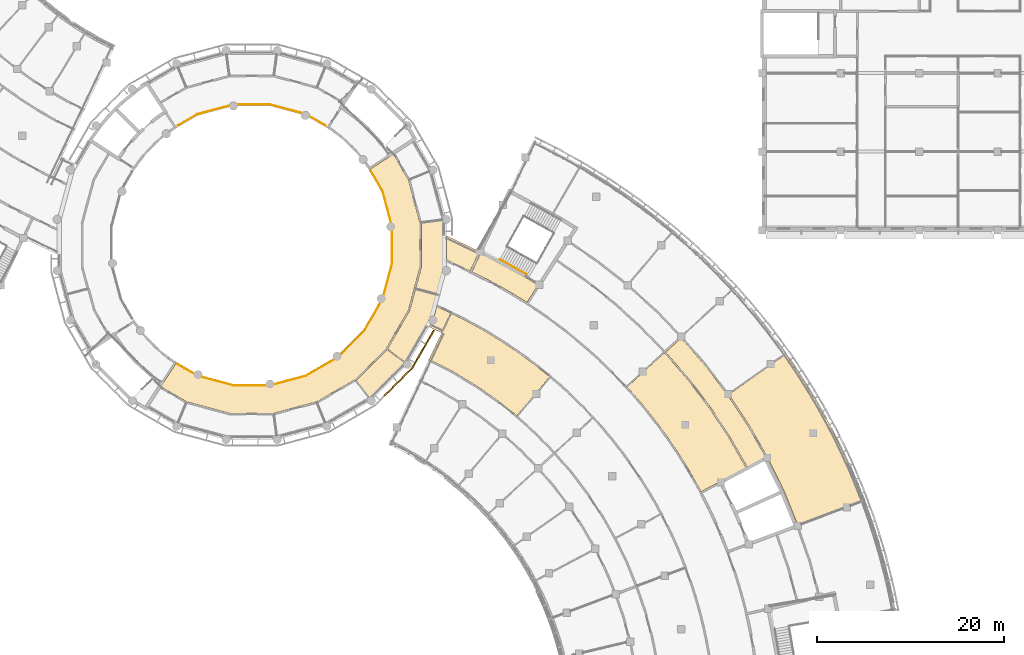
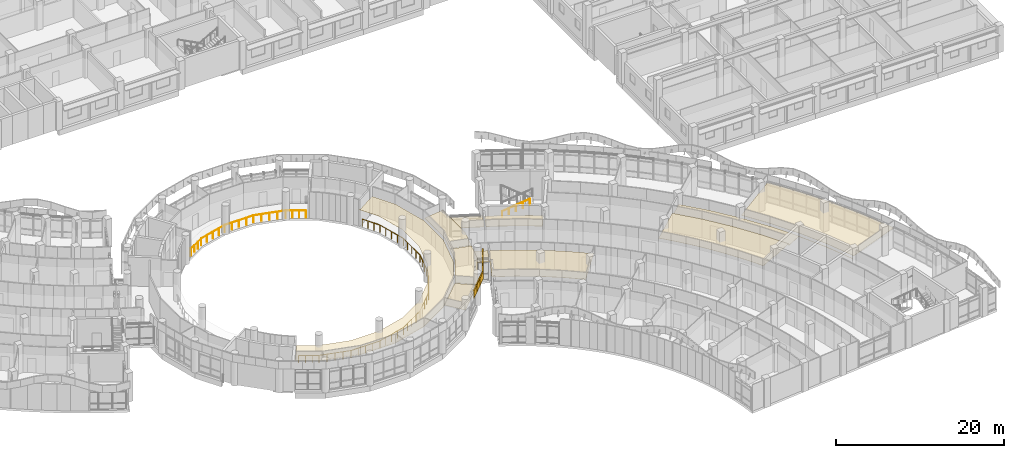
# One storey, part 95 of 109: 18 coverings, 3 railings.
"""IFC4 building model written with IfcOpenShell, lengths in metres."""

from ifc_helpers import new_model, si_unit, direction, frame, origin, origin_2d, place, context, subcontext, project, spatial, polyline, circle, outline, extrude, material, layer, layer_set, type_object, element, save


model = new_model("IFC4")

# Units and contexts
model_context = context("Model", 3, precision=1e-05, world=origin(), true_north=direction((0.0, 1.0)))
body_context = subcontext(model_context, "Body", "Model", "MODEL_VIEW")
ifc_project = project(units=[si_unit("LENGTHUNIT", "METRE"), si_unit("AREAUNIT", "SQUARE_METRE"), si_unit("VOLUMEUNIT", "CUBIC_METRE"), si_unit("PLANEANGLEUNIT", "RADIAN"), si_unit("MASSUNIT", "GRAM", prefix="KILO")], contexts=[model_context])

# Site, building, storey
site_placement = place(None, origin())
site = spatial("IfcSite", under=ifc_project, at=site_placement, CompositionType="ELEMENT")
building_placement = place(site_placement, origin())
building = spatial("IfcBuilding", under=site, at=building_placement, Name="Bougainvillea Quay General Hospital", CompositionType="ELEMENT")
storey_placement = place(building_placement, frame((0.0, 0.0, 12.60009765625)))
storey = spatial("IfcBuildingStorey", under=building, at=storey_placement, Name="L02", CompositionType="ELEMENT", Elevation=12.60009765625)

# Coverings
ifc_material_1 = material(Name="Powder-coated aluminium fascia, white", Category="aluminium")
ifc_layer_1 = layer(ifc_material_1, 0.14990234375)
ifc_layer_set_1 = layer_set([ifc_layer_1], Name="Powder-coated aluminium fascia, white")
covering_type_1 = type_object("IfcCoveringType", Name="Aluminium fascia band white 150x1100", PredefinedType="CLADDING", material=ifc_layer_set_1)
covering_1_placement = place(storey_placement, frame((123.341796875, 57.920166015625, 3.64990234375), z_axis=(0.0, 0.0, 1.0), x_axis=(0.707106781187, 0.707106781187, 0.0)))
element("IfcCovering", 1, at=covering_1_placement, inside=storey, type_object=covering_type_1, Name="Fascia band white e0 36", PredefinedType="CLADDING", context=body_context, shape_type="SweptSolid", body=[
    extrude(outline(polyline([(0.0, 0.0), (1.370364655531937, 0.0), (1.370364655531937, -0.15019113760554115), (0.0, -0.15019113760554112), (0.0, 0.0)])), origin(), (0.0, 0.0, 1.0), 1.10009765625),
])
covering_2_placement = place(storey_placement, frame((124.310791015625, 58.88916015625, 3.64990234375), z_axis=(0.0, 0.0, 1.0), x_axis=(0.707195843064, 0.707017708091, 0.0)))
element("IfcCovering", 2, at=covering_2_placement, inside=storey, type_object=covering_type_1, Name="Fascia band white e0 37", PredefinedType="CLADDING", context=body_context, shape_type="SweptSolid", body=[
    extrude(outline(polyline([(0.0, 0.0), (1.3705372998959335, 0.0), (1.370383562803702, -0.15001852466893295), (1.891814289130267e-05, -0.15019113641407222), (0.0, 0.0)])), origin(), (0.0, 0.0, 1.0), 1.10009765625),
])
covering_3_placement = place(storey_placement, frame((125.280029296875, 59.858154296875, 3.64990234375), z_axis=(0.0, 0.0, 1.0), x_axis=(0.707022163611, 0.707191388638, 0.0)))
element("IfcCovering", 3, at=covering_3_placement, inside=storey, type_object=covering_type_1, Name="Fascia band white e0 38", PredefinedType="CLADDING", context=body_context, shape_type="SweptSolid", body=[
    extrude(outline(polyline([(0.0, 0.0), (1.4426980987993736, -1.1102230246251565e-16), (1.4623603447933502, -0.15019349146840377), (-0.00019058472911116786, -0.15001848238266444), (0.0, 0.0)])), origin(), (0.0, 0.0, 1.0), 1.10009765625),
])
covering_4_placement = place(storey_placement, frame((126.300048828125, 60.87841796875, 3.64990234375), z_axis=(0.0, 0.0, 1.0), x_axis=(0.500080723117, 0.865978793255, 0.0)))
element("IfcCovering", 4, at=covering_4_placement, inside=storey, type_object=covering_type_1, Name="Fascia band white e0 39", PredefinedType="CLADDING", context=body_context, shape_type="SweptSolid", body=[
    extrude(outline(polyline([(0.0, 0.0), (1.2190414715957647, 1.1102230246251565e-16), (1.2190872370178687, -0.14995739746298636), (-0.019848698260943015, -0.15016896475085362), (0.0, 0.0)])), origin(), (0.0, 0.0, 1.0), 1.10009765625),
])
for number, where, z_axis, x_axis, name in (
    (5, (126.90966796875, 61.93408203125, 3.64990234375), (0.0, 0.0, 1.0), (0.499986657325, 0.866033107044, 0.0), "Fascia band white e0 40"),
    (6, (127.48291015625, 62.927001953125, 3.64990234375), (0.0, 0.0, 1.0), (0.499986657325, 0.866033107044, 0.0), "Fascia band white e0 41"),
):
    element("IfcCovering", number, at=place(storey_placement, frame(where, z_axis=z_axis, x_axis=x_axis)), inside=storey, type_object=covering_type_1, Name=name, PredefinedType="CLADDING", context=body_context, shape_type="SweptSolid", body=[
        extrude(outline(polyline([(0.0, 0.0), (1.1465149701534827, 0.0), (1.1465444471637856, -0.14995740154941278), (2.9477010302911277e-05, -0.14995740154941273), (0.0, 0.0)])), origin(), (0.0, 0.0, 1.0), 1.10009765625),
    ])
covering_5_placement = place(storey_placement, frame((128.05615234375, 63.919921875, 3.64990234375), z_axis=(0.0, 0.0, 1.0), x_axis=(0.499894466757, 0.866086324858, 0.0)))
element("IfcCovering", 7, at=covering_5_placement, inside=storey, type_object=covering_type_1, Name="Fascia band white e0 42", PredefinedType="CLADDING", context=body_context, shape_type="SweptSolid", body=[
    extrude(outline(polyline([(0.0, 0.0), (1.1467264105144213, 0.0), (1.1467399248169607, -0.14995740383758843), (1.351430253937469e-05, -0.1499574038375884), (0.0, 0.0)])), origin(), (0.0, 0.0, 1.0), 1.10009765625),
])

# Railings
ifc_material_2 = material(Name="Stainless steel guard, brushed grade 316", Category="steel")
railing_type_1 = type_object("IfcRailingType", Name="Stainless steel guard 1100", PredefinedType="GUARDRAIL", material=ifc_material_2)
railing_1_placement = place(storey_placement, frame((101.31103515625, 86.7900390625, 0.0)))
element("IfcRailing", 8, at=railing_1_placement, inside=storey, type_object=railing_type_1, Name="Guard 0-01", PredefinedType="GUARDRAIL", context=body_context, shape_type="SweptSolid", body=[
    extrude(circle(Radius=0.02392578125, at=origin_2d()), frame((0.0, 0.0, 1.076171875), z_axis=(0.865894266705, 0.500227067327, 0.0), x_axis=(-0.500227067327, 0.865894266705, 0.0)), (0.0, 0.0, 1.0), 2.4150390625),
    extrude(circle(Radius=0.02392578125, at=origin_2d()), frame((2.091064453125, 1.2080078125, 1.076171875), z_axis=(0.965900094608, 0.258915057956, 0.0), x_axis=(-0.258915057956, 0.965900094608, 0.0)), (0.0, 0.0, 1.0), 3.95458984375),
    extrude(circle(Radius=0.02392578125, at=origin_2d()), frame((5.910888671875, 2.23193359375, 1.076171875), z_axis=(1.0, 0.0, 0.0), x_axis=(0.0, 1.0, 0.0)), (0.0, 0.0, 1.0), 3.9560546875),
    extrude(circle(Radius=0.02392578125, at=origin_2d()), frame((9.866943359375, 2.23193359375, 1.076171875), z_axis=(0.965904232743, -0.258899619871, 0.0), x_axis=(0.258899619871, 0.965904232743, 0.0)), (0.0, 0.0, 1.0), 3.954833984375),
    extrude(circle(Radius=0.02392578125, at=origin_2d()), frame((13.68701171875, 1.2080078125, 1.076171875), z_axis=(0.865894266705, -0.500227067327, 0.0), x_axis=(0.500227067327, 0.865894266705, 0.0)), (0.0, 0.0, 1.0), 2.4150390625),
    extrude(circle(Radius=0.02099609375, at=origin_2d()), origin(), (0.0, 0.0, 1.0), 1.052001953125),
    extrude(circle(Radius=0.02099609375, at=origin_2d()), frame((0.697021484375, 0.402587890625, 0.0)), (0.0, 0.0, 1.0), 1.052001953125),
    extrude(circle(Radius=0.02099609375, at=origin_2d()), frame((1.39404296875, 0.805419921875, 0.0)), (0.0, 0.0, 1.0), 1.052001953125),
    extrude(circle(Radius=0.02099609375, at=origin_2d()), frame((2.091064453125, 1.2080078125, 0.0)), (0.0, 0.0, 1.0), 1.052001953125),
    extrude(circle(Radius=0.02099609375, at=origin_2d()), frame((3.0458984375, 1.4638671875, 0.0)), (0.0, 0.0, 1.0), 1.052001953125),
    extrude(circle(Radius=0.02099609375, at=origin_2d()), frame((4.0009765625, 1.719970703125, 0.0)), (0.0, 0.0, 1.0), 1.052001953125),
    extrude(circle(Radius=0.02099609375, at=origin_2d()), frame((4.9560546875, 1.97607421875, 0.0)), (0.0, 0.0, 1.0), 1.052001953125),
    extrude(circle(Radius=0.02099609375, at=origin_2d()), frame((5.910888671875, 2.23193359375, 0.0)), (0.0, 0.0, 1.0), 1.052001953125),
    extrude(circle(Radius=0.02099609375, at=origin_2d()), frame((6.89990234375, 2.23193359375, 0.0)), (0.0, 0.0, 1.0), 1.052001953125),
    extrude(circle(Radius=0.02099609375, at=origin_2d()), frame((7.888916015625, 2.23193359375, 0.0)), (0.0, 0.0, 1.0), 1.052001953125),
    extrude(circle(Radius=0.02099609375, at=origin_2d()), frame((8.8779296875, 2.23193359375, 0.0)), (0.0, 0.0, 1.0), 1.052001953125),
    extrude(circle(Radius=0.02099609375, at=origin_2d()), frame((9.866943359375, 2.23193359375, 0.0)), (0.0, 0.0, 1.0), 1.052001953125),
    extrude(circle(Radius=0.02099609375, at=origin_2d()), frame((10.822021484375, 1.97607421875, 0.0)), (0.0, 0.0, 1.0), 1.052001953125),
    extrude(circle(Radius=0.02099609375, at=origin_2d()), frame((11.77685546875, 1.719970703125, 0.0)), (0.0, 0.0, 1.0), 1.052001953125),
    extrude(circle(Radius=0.02099609375, at=origin_2d()), frame((12.73193359375, 1.4638671875, 0.0)), (0.0, 0.0, 1.0), 1.052001953125),
    extrude(circle(Radius=0.02099609375, at=origin_2d()), frame((13.68701171875, 1.2080078125, 0.0)), (0.0, 0.0, 1.0), 1.052001953125),
    extrude(circle(Radius=0.02099609375, at=origin_2d()), frame((14.384033203125, 0.805419921875, 0.0)), (0.0, 0.0, 1.0), 1.052001953125),
    extrude(circle(Radius=0.02099609375, at=origin_2d()), frame((15.0810546875, 0.402587890625, 0.0)), (0.0, 0.0, 1.0), 1.052001953125),
    extrude(circle(Radius=0.02099609375, at=origin_2d()), frame((15.778076171875, 0.0, 0.0)), (0.0, 0.0, 1.0), 1.052001953125),
])
railing_2_placement = place(storey_placement, frame((121.989990234375, 81.888916015625, 0.0)))
element("IfcRailing", 9, at=railing_2_placement, inside=storey, type_object=railing_type_1, Name="Guard 0-03", PredefinedType="GUARDRAIL", context=body_context, shape_type="SweptSolid", body=[
    extrude(circle(Radius=0.02392578125, at=origin_2d()), frame((0.0, 0.0, 1.076171875), z_axis=(0.500270859977, -0.865868966217, 0.0), x_axis=(0.865868966217, 0.500270859977, 0.0)), (0.0, 0.0, 1.0), 2.414794921875),
    extrude(circle(Radius=0.02392578125, at=origin_2d()), frame((1.2080078125, -2.0908203125, 1.076171875), z_axis=(0.258899619871, -0.965904232743, 0.0), x_axis=(0.965904232743, 0.258899619871, 0.0)), (0.0, 0.0, 1.0), 3.954833984375),
    extrude(circle(Radius=0.02392578125, at=origin_2d()), frame((2.23193359375, -5.910888671875, 1.076171875), z_axis=(0.0, -1.0, 0.0), x_axis=(1.0, 0.0, 0.0)), (0.0, 0.0, 1.0), 3.9560546875),
    extrude(circle(Radius=0.02392578125, at=origin_2d()), frame((2.23193359375, -9.866943359375, 1.076171875), z_axis=(-0.258899619871, -0.965904232743, 0.0), x_axis=(0.965904232743, -0.258899619871, 0.0)), (0.0, 0.0, 1.0), 3.954833984375),
    extrude(circle(Radius=0.02392578125, at=origin_2d()), frame((1.2080078125, -13.68701171875, 1.076171875), z_axis=(-0.500135664945, -0.865947063422, 0.0), x_axis=(0.865947063422, -0.500135664945, 0.0)), (0.0, 0.0, 1.0), 3.955078125),
    extrude(circle(Radius=0.02392578125, at=origin_2d()), frame((-0.77001953125, -17.11181640625, 1.076171875), z_axis=(-0.707075920007, -0.707137641019, 0.0), x_axis=(0.707137641019, -0.707075920007, 0.0)), (0.0, 0.0, 1.0), 3.95556640625),
    extrude(circle(Radius=0.02392578125, at=origin_2d()), frame((-3.56689453125, -19.908935546875, 1.076171875), z_axis=(-0.865962503036, -0.50010893147, 0.0), x_axis=(0.50010893147, -0.865962503036, 0.0)), (0.0, 0.0, 1.0), 3.955078125),
    extrude(circle(Radius=0.02392578125, at=origin_2d()), frame((-6.991943359375, -21.886962890625, 1.076171875), z_axis=(-0.965904232743, -0.258899619871, 0.0), x_axis=(0.258899619871, -0.965904232743, 0.0)), (0.0, 0.0, 1.0), 3.954833984375),
    extrude(circle(Radius=0.02392578125, at=origin_2d()), frame((-10.81201171875, -22.910888671875, 1.076171875), z_axis=(-1.0, 0.0, 0.0), x_axis=(0.0, -1.0, 0.0)), (0.0, 0.0, 1.0), 3.9560546875),
    extrude(circle(Radius=0.02392578125, at=origin_2d()), frame((-14.76806640625, -22.910888671875, 1.076171875), z_axis=(-0.965900094608, 0.258915057956, 0.0), x_axis=(-0.258915057956, -0.965900094608, 0.0)), (0.0, 0.0, 1.0), 3.95458984375),
    extrude(circle(Radius=0.02392578125, at=origin_2d()), frame((-18.587890625, -21.886962890625, 1.076171875), z_axis=(-0.865894266705, 0.500227067327, 0.0), x_axis=(-0.500227067327, -0.865894266705, 0.0)), (0.0, 0.0, 1.0), 2.4150390625),
    extrude(circle(Radius=0.02099609375, at=origin_2d()), origin(), (0.0, 0.0, 1.0), 1.052001953125),
    extrude(circle(Radius=0.02099609375, at=origin_2d()), frame((0.402587890625, -0.697021484375, 0.0)), (0.0, 0.0, 1.0), 1.052001953125),
    extrude(circle(Radius=0.02099609375, at=origin_2d()), frame((0.805419921875, -1.393798828125, 0.0)), (0.0, 0.0, 1.0), 1.052001953125),
    extrude(circle(Radius=0.02099609375, at=origin_2d()), frame((1.2080078125, -2.0908203125, 0.0)), (0.0, 0.0, 1.0), 1.052001953125),
    extrude(circle(Radius=0.02099609375, at=origin_2d()), frame((1.4638671875, -3.0458984375, 0.0)), (0.0, 0.0, 1.0), 1.052001953125),
    extrude(circle(Radius=0.02099609375, at=origin_2d()), frame((1.719970703125, -4.0009765625, 0.0)), (0.0, 0.0, 1.0), 1.052001953125),
    extrude(circle(Radius=0.02099609375, at=origin_2d()), frame((1.97607421875, -4.955810546875, 0.0)), (0.0, 0.0, 1.0), 1.052001953125),
    extrude(circle(Radius=0.02099609375, at=origin_2d()), frame((2.23193359375, -5.910888671875, 0.0)), (0.0, 0.0, 1.0), 1.052001953125),
    extrude(circle(Radius=0.02099609375, at=origin_2d()), frame((2.23193359375, -6.89990234375, 0.0)), (0.0, 0.0, 1.0), 1.052001953125),
    extrude(circle(Radius=0.02099609375, at=origin_2d()), frame((2.23193359375, -7.888916015625, 0.0)), (0.0, 0.0, 1.0), 1.052001953125),
    extrude(circle(Radius=0.02099609375, at=origin_2d()), frame((2.23193359375, -8.8779296875, 0.0)), (0.0, 0.0, 1.0), 1.052001953125),
    extrude(circle(Radius=0.02099609375, at=origin_2d()), frame((2.23193359375, -9.866943359375, 0.0)), (0.0, 0.0, 1.0), 1.052001953125),
    extrude(circle(Radius=0.02099609375, at=origin_2d()), frame((1.97607421875, -10.822021484375, 0.0)), (0.0, 0.0, 1.0), 1.052001953125),
    extrude(circle(Radius=0.02099609375, at=origin_2d()), frame((1.719970703125, -11.77685546875, 0.0)), (0.0, 0.0, 1.0), 1.052001953125),
    extrude(circle(Radius=0.02099609375, at=origin_2d()), frame((1.4638671875, -12.73193359375, 0.0)), (0.0, 0.0, 1.0), 1.052001953125),
    extrude(circle(Radius=0.02099609375, at=origin_2d()), frame((1.2080078125, -13.68701171875, 0.0)), (0.0, 0.0, 1.0), 1.052001953125),
    extrude(circle(Radius=0.02099609375, at=origin_2d()), frame((0.71337890625, -14.543212890625, 0.0)), (0.0, 0.0, 1.0), 1.052001953125),
    extrude(circle(Radius=0.02099609375, at=origin_2d()), frame((0.218994140625, -15.3994140625, 0.0)), (0.0, 0.0, 1.0), 1.052001953125),
    extrude(circle(Radius=0.02099609375, at=origin_2d()), frame((-0.275390625, -16.255615234375, 0.0)), (0.0, 0.0, 1.0), 1.052001953125),
    extrude(circle(Radius=0.02099609375, at=origin_2d()), frame((-0.77001953125, -17.11181640625, 0.0)), (0.0, 0.0, 1.0), 1.052001953125),
    extrude(circle(Radius=0.02099609375, at=origin_2d()), frame((-1.46923828125, -17.81103515625, 0.0)), (0.0, 0.0, 1.0), 1.052001953125),
    extrude(circle(Radius=0.02099609375, at=origin_2d()), frame((-2.16845703125, -18.51025390625, 0.0)), (0.0, 0.0, 1.0), 1.052001953125),
    extrude(circle(Radius=0.02099609375, at=origin_2d()), frame((-2.86767578125, -19.209716796875, 0.0)), (0.0, 0.0, 1.0), 1.052001953125),
    extrude(circle(Radius=0.02099609375, at=origin_2d()), frame((-3.56689453125, -19.908935546875, 0.0)), (0.0, 0.0, 1.0), 1.052001953125),
    extrude(circle(Radius=0.02099609375, at=origin_2d()), frame((-4.423095703125, -20.4033203125, 0.0)), (0.0, 0.0, 1.0), 1.052001953125),
    extrude(circle(Radius=0.02099609375, at=origin_2d()), frame((-5.279296875, -20.89794921875, 0.0)), (0.0, 0.0, 1.0), 1.052001953125),
    extrude(circle(Radius=0.02099609375, at=origin_2d()), frame((-6.1357421875, -21.392578125, 0.0)), (0.0, 0.0, 1.0), 1.052001953125),
    extrude(circle(Radius=0.02099609375, at=origin_2d()), frame((-6.991943359375, -21.886962890625, 0.0)), (0.0, 0.0, 1.0), 1.052001953125),
    extrude(circle(Radius=0.02099609375, at=origin_2d()), frame((-7.947021484375, -22.14306640625, 0.0)), (0.0, 0.0, 1.0), 1.052001953125),
    extrude(circle(Radius=0.02099609375, at=origin_2d()), frame((-8.90185546875, -22.39892578125, 0.0)), (0.0, 0.0, 1.0), 1.052001953125),
    extrude(circle(Radius=0.02099609375, at=origin_2d()), frame((-9.85693359375, -22.65478515625, 0.0)), (0.0, 0.0, 1.0), 1.052001953125),
    extrude(circle(Radius=0.02099609375, at=origin_2d()), frame((-10.81201171875, -22.910888671875, 0.0)), (0.0, 0.0, 1.0), 1.052001953125),
    extrude(circle(Radius=0.02099609375, at=origin_2d()), frame((-11.801025390625, -22.910888671875, 0.0)), (0.0, 0.0, 1.0), 1.052001953125),
    extrude(circle(Radius=0.02099609375, at=origin_2d()), frame((-12.7900390625, -22.910888671875, 0.0)), (0.0, 0.0, 1.0), 1.052001953125),
    extrude(circle(Radius=0.02099609375, at=origin_2d()), frame((-13.779052734375, -22.910888671875, 0.0)), (0.0, 0.0, 1.0), 1.052001953125),
    extrude(circle(Radius=0.02099609375, at=origin_2d()), frame((-14.76806640625, -22.910888671875, 0.0)), (0.0, 0.0, 1.0), 1.052001953125),
    extrude(circle(Radius=0.02099609375, at=origin_2d()), frame((-15.72314453125, -22.65478515625, 0.0)), (0.0, 0.0, 1.0), 1.052001953125),
    extrude(circle(Radius=0.02099609375, at=origin_2d()), frame((-16.677978515625, -22.39892578125, 0.0)), (0.0, 0.0, 1.0), 1.052001953125),
    extrude(circle(Radius=0.02099609375, at=origin_2d()), frame((-17.6328125, -22.14306640625, 0.0)), (0.0, 0.0, 1.0), 1.052001953125),
    extrude(circle(Radius=0.02099609375, at=origin_2d()), frame((-18.587890625, -21.886962890625, 0.0)), (0.0, 0.0, 1.0), 1.052001953125),
    extrude(circle(Radius=0.02099609375, at=origin_2d()), frame((-19.284912109375, -21.484375, 0.0)), (0.0, 0.0, 1.0), 1.052001953125),
    extrude(circle(Radius=0.02099609375, at=origin_2d()), frame((-19.98193359375, -21.08154296875, 0.0)), (0.0, 0.0, 1.0), 1.052001953125),
    extrude(circle(Radius=0.02099609375, at=origin_2d()), frame((-20.678955078125, -20.678955078125, 0.0)), (0.0, 0.0, 1.0), 1.052001953125),
])
ifc_material_3 = material(Name="Stainless steel 304 handrail", Category="steel")
railing_type_2 = type_object("IfcRailingType", Name="Stair handrail 900", PredefinedType="HANDRAIL", material=ifc_material_3)
railing_3_placement = place(storey_placement, frame((135.75, 72.454345703125, 2.25)))
element("IfcRailing", 10, at=railing_3_placement, inside=storey, type_object=railing_type_2, Name="L02 ST-E1 stair handrail 2", PredefinedType="HANDRAIL", context=body_context, shape_type="SweptSolid", body=[
    extrude(circle(Radius=0.02392578125, at=origin_2d()), frame((0.0, 0.0, 0.8759765625), z_axis=(0.769776720185, -0.429483268125, 0.472215971206), x_axis=(0.487228141846, 0.873274720688, 0.0)), (0.0, 0.0, 1.0), 3.736328125),
    extrude(circle(Radius=0.02099609375, at=origin_2d()), origin(), (0.0, 0.0, 1.0), 0.851806640625),
    extrude(circle(Radius=0.02099609375, at=origin_2d()), frame((0.718994140625, -0.401123046875, 0.441162109375)), (0.0, 0.0, 1.0), 0.851806640625),
    extrude(circle(Radius=0.02099609375, at=origin_2d()), frame((1.43798828125, -0.80224609375, 0.88232421875)), (0.0, 0.0, 1.0), 0.851806640625),
    extrude(circle(Radius=0.02099609375, at=origin_2d()), frame((2.1572265625, -1.20361328125, 1.3232421875)), (0.0, 0.0, 1.0), 0.851806640625),
    extrude(circle(Radius=0.02099609375, at=origin_2d()), frame((2.876220703125, -1.604736328125, 1.764404296875)), (0.0, 0.0, 1.0), 0.851806640625),
])

# Coverings
ifc_material_4 = material(Name="Mineral fibre ceiling tile")
ifc_layer_2 = layer(ifc_material_4, 0.030029296875)
ifc_layer_set_2 = layer_set([ifc_layer_2], Name="Mineral fibre ceiling tile")
covering_type_2 = type_object("IfcCoveringType", Name="Suspended ceiling mineral fibre tile", PredefinedType="CEILING", material=ifc_layer_set_2)
covering_6_placement = place(storey_placement, frame((0.0, 0.0, 2.39990234375)))
element("IfcCovering", 11, at=covering_6_placement, inside=storey, type_object=covering_type_2, Name="Ceiling Gallery Corridor", PredefinedType="CEILING", context=body_context, shape_type="SweptSolid", body=[
    extrude(outline(polyline([(100.996826171875, 61.564208984375), (101.085693359375, 61.503173828125), (101.168212890625, 61.449462890625), (101.1669921875, 61.447265625), (101.1689453125, 61.44580078125), (101.113037109375, 61.364501953125), (99.7509765625, 59.26611328125), (99.753173828125, 59.2646484375), (99.697265625, 59.183349609375), (99.643310546875, 59.1005859375), (99.64111328125, 59.10205078125), (99.6396484375, 59.099853515625), (99.621337890625, 59.112548828125), (99.449951171875, 58.848388671875), (102.25390625, 57.22998046875), (106.829833984375, 56.0029296875), (111.569091796875, 56.0029296875), (116.14599609375, 57.22998046875), (120.25, 59.59912109375), (123.60107421875, 62.949951171875), (125.97021484375, 67.053955078125), (127.197021484375, 71.6298828125), (127.197021484375, 76.3701171875), (125.97021484375, 80.946044921875), (124.3515625, 83.75), (124.08740234375, 83.57861328125), (124.10009765625, 83.560302734375), (124.097900390625, 83.558837890625), (124.099365234375, 83.556640625), (124.0166015625, 83.5029296875), (123.935302734375, 83.447021484375), (123.933837890625, 83.44921875), (121.835693359375, 82.0869140625), (121.75439453125, 82.031005859375), (121.752685546875, 82.033203125), (121.75048828125, 82.03173828125), (121.69677734375, 82.114501953125), (121.6357421875, 82.203125), (123.05810546875, 79.739990234375), (124.072021484375, 75.9580078125), (124.072021484375, 72.0419921875), (123.05810546875, 68.260009765625), (121.10009765625, 64.868896484375), (118.3310546875, 62.10009765625), (114.93994140625, 60.14208984375), (111.157958984375, 59.1279296875), (107.241943359375, 59.1279296875), (103.4599609375, 60.14208984375), (100.996826171875, 61.564208984375)])), origin(), (0.0, 0.0, 1.0), 0.030029296875),
])
covering_7_placement = place(storey_placement, frame((0.0, 0.0, 2.699951171875)))
element("IfcCovering", 12, at=covering_7_placement, inside=storey, type_object=covering_type_2, Name="Ceiling Smoke-proof Vestibule ST-E1", PredefinedType="CEILING", context=body_context, shape_type="SweptSolid", body=[
    extrude(outline(polyline([(134.1318359375, 70.461669921875), (134.13330078125, 70.46435546875), (134.219970703125, 70.417724609375), (134.30810546875, 70.3740234375), (134.306640625, 70.371337890625), (135.6650390625, 69.640869140625), (135.66650390625, 69.6435546875), (135.751708984375, 69.59423828125), (135.83837890625, 69.547607421875), (135.8369140625, 69.544921875), (137.171142578125, 68.77294921875), (137.1728515625, 68.775634765625), (137.25634765625, 68.723876953125), (137.341552734375, 68.674560546875), (137.340087890625, 68.671630859375), (138.648193359375, 67.85791015625), (139.83984375, 69.706787109375), (138.3896484375, 70.609130859375), (136.8232421875, 71.515625), (135.22998046875, 72.3720703125), (133.699462890625, 73.13232421875), (132.752685546875, 71.146728515625), (134.1318359375, 70.461669921875)])), origin(), (0.0, 0.0, 1.0), 0.030029296875),
])
covering_8_placement = place(storey_placement, frame((0.0, 0.0, 2.699951171875)))
element("IfcCovering", 13, at=covering_8_placement, inside=storey, type_object=covering_type_2, Name="Ceiling Gallery Lounge 02H0225", PredefinedType="CEILING", context=body_context, shape_type="SweptSolid", body=[
    extrude(outline(polyline([(125.82421875, 61.180419921875), (123.69580078125, 62.814208984375), (123.6884765625, 62.801513671875), (123.67333984375, 62.810302734375), (120.3896484375, 59.526611328125), (120.3984375, 59.511474609375), (120.3857421875, 59.504150390625), (122.019775390625, 57.375732421875), (125.82421875, 61.180419921875)])), origin(), (0.0, 0.0, 1.0), 0.030029296875),
])
covering_9_placement = place(storey_placement, frame((0.0, 0.0, 2.699951171875)))
element("IfcCovering", 14, at=covering_9_placement, inside=storey, type_object=covering_type_2, Name="Ceiling Visitors' Pantry 02H0226", PredefinedType="CEILING", context=body_context, shape_type="SweptSolid", body=[
    extrude(outline(polyline([(129.31005859375, 68.611083984375), (129.297119140625, 68.562744140625), (126.715576171875, 69.255126953125), (126.12744140625, 67.061279296875), (126.142333984375, 67.052490234375), (126.10986328125, 66.99609375), (126.093017578125, 66.93310546875), (126.076171875, 66.937744140625), (123.754638671875, 62.916259765625), (123.76708984375, 62.904052734375), (123.756591796875, 62.8935546875), (125.88525390625, 61.259765625), (128.60107421875, 65.964111328125), (128.993408203125, 67.42919921875), (128.980712890625, 67.435302734375), (129.013427734375, 67.504150390625), (129.31005859375, 68.611083984375)])), origin(), (0.0, 0.0, 1.0), 0.030029296875),
])
covering_10_placement = place(storey_placement, frame((0.0, 0.0, 2.699951171875)))
element("IfcCovering", 15, at=covering_10_placement, inside=storey, type_object=covering_type_2, Name="Ceiling Patient Education Room 02H0311", PredefinedType="CEILING", context=body_context, shape_type="SweptSolid", body=[
    extrude(outline(polyline([(130.02001953125, 76.690673828125), (127.360107421875, 76.341064453125), (127.36376953125, 76.326904296875), (127.346923828125, 76.322509765625), (127.346923828125, 71.677490234375), (127.36376953125, 71.673095703125), (127.346923828125, 71.610107421875), (127.346923828125, 71.544921875), (127.32958984375, 71.544921875), (126.741455078125, 69.351806640625), (129.322998046875, 68.6591796875), (130.02001953125, 71.259033203125), (130.02001953125, 72.2578125), (129.98779296875, 72.273193359375), (130.02001953125, 72.341064453125), (130.02001953125, 76.690673828125)])), origin(), (0.0, 0.0, 1.0), 0.030029296875),
])
covering_11_placement = place(storey_placement, frame((0.0, 0.0, 2.39990234375)))
element("IfcCovering", 16, at=covering_11_placement, inside=storey, type_object=covering_type_2, Name="Ceiling Clinic Corridor 02E1", PredefinedType="CEILING", context=body_context, shape_type="SweptSolid", body=[
    extrude(outline(polyline([(165.89599609375, 47.580078125), (166.68408203125, 45.759033203125), (167.412109375, 43.9130859375), (167.376953125, 44.006591796875), (167.459228515625, 44.03759765625), (166.010498046875, 47.63232421875), (164.2607421875, 51.201904296875), (162.2861328125, 54.653564453125), (160.095703125, 57.97265625), (157.69873046875, 61.14453125), (155.143798828125, 64.05908203125), (153.48828125, 62.53759765625), (155.8994140625, 59.785888671875), (155.903564453125, 59.7890625), (155.947265625, 59.7314453125), (155.994873046875, 59.677001953125), (155.990966796875, 59.673583984375), (158.21435546875, 56.7314453125), (158.21826171875, 56.73388671875), (158.25830078125, 56.67333984375), (158.302001953125, 56.615478515625), (158.29833984375, 56.612548828125), (160.329833984375, 53.5361328125), (160.333984375, 53.538330078125), (160.369873046875, 53.475341796875), (160.409912109375, 53.414794921875), (160.406005859375, 53.412109375), (162.27099609375, 50.150146484375), (162.2060546875, 50.113037109375), (164.14990234375, 51.14404296875), (165.052001953125, 49.3759765625), (165.89599609375, 47.580078125)])), origin(), (0.0, 0.0, 1.0), 0.030029296875),
])
covering_12_placement = place(storey_placement, frame((0.0, 0.0, 2.699951171875)))
element("IfcCovering", 17, at=covering_12_placement, inside=storey, type_object=covering_type_2, Name="Ceiling Cardiac Rehabilitation Gym Waiting Hall 02E101", PredefinedType="CEILING", context=body_context, shape_type="SweptSolid", body=[
    extrude(outline(polyline([(162.1396484375, 50.077880859375), (160.2421875, 53.396728515625), (158.1357421875, 56.586669921875), (155.830810546875, 59.63671875), (153.3447265625, 62.4736328125), (149.35693359375, 58.8115234375), (149.373046875, 58.794677734375), (149.37109375, 58.792724609375), (150.427734375, 57.604248046875), (150.429443359375, 57.605712890625), (150.476806640625, 57.548828125), (150.52587890625, 57.493896484375), (150.524169921875, 57.4921875), (151.54296875, 56.270751953125), (151.544921875, 56.272216796875), (151.59033203125, 56.214111328125), (151.6376953125, 56.157470703125), (151.6357421875, 56.156005859375), (152.614501953125, 54.90234375), (152.6162109375, 54.90380859375), (152.659912109375, 54.84423828125), (152.705322265625, 54.7861328125), (152.703369140625, 54.78466796875), (153.6416015625, 53.5009765625), (153.6435546875, 53.502197265625), (153.685302734375, 53.44140625), (153.728759765625, 53.381591796875), (153.726806640625, 53.38037109375), (154.6240234375, 52.0673828125), (154.6259765625, 52.068603515625), (154.66552734375, 52.00634765625), (154.707275390625, 51.9453125), (154.705322265625, 51.944091796875), (155.560302734375, 50.603515625), (155.562255859375, 50.604736328125), (155.599853515625, 50.541259765625), (155.6396484375, 50.47900390625), (155.637451171875, 50.477783203125), (156.449462890625, 49.109619140625), (156.451416015625, 49.11083984375), (156.487060546875, 49.046142578125), (156.524658203125, 48.982666015625), (156.522705078125, 48.9814453125), (157.277099609375, 47.61181640625), (159.332275390625, 48.701416015625), (159.37890625, 48.61328125), (162.1396484375, 50.077880859375)])), origin(), (0.0, 0.0, 1.0), 0.030029296875),
])
covering_13_placement = place(storey_placement, frame((0.0, 0.0, 2.699951171875)))
element("IfcCovering", 18, at=covering_13_placement, inside=storey, type_object=covering_type_2, Name="Ceiling Physiotherapy Treatment Room 02E112", PredefinedType="CEILING", context=body_context, shape_type="SweptSolid", body=[
    extrude(outline(polyline([(170.72802734375, 55.365966796875), (170.684326171875, 55.341552734375), (169.604736328125, 57.2607421875), (168.465576171875, 59.1435546875), (167.2685546875, 60.9892578125), (166.343505859375, 62.326904296875), (160.24853515625, 58.019287109375), (160.261962890625, 58.00146484375), (160.25830078125, 57.99853515625), (162.373779296875, 54.79296875), (162.3779296875, 54.79541015625), (162.413818359375, 54.732421875), (162.453857421875, 54.671630859375), (162.449951171875, 54.669189453125), (164.357177734375, 51.335205078125), (164.361328125, 51.33740234375), (164.393310546875, 51.272216796875), (164.429443359375, 51.209228515625), (164.42529296875, 51.206787109375), (166.11572265625, 47.758544921875), (166.12060546875, 47.760498046875), (166.1474609375, 47.693603515625), (166.179443359375, 47.628662109375), (166.174560546875, 47.62646484375), (167.599853515625, 44.090087890625), (167.604736328125, 44.090087890625), (167.62060546875, 44.044677734375), (174.640869140625, 46.68798828125), (173.955810546875, 48.440185546875), (173.09228515625, 50.462646484375), (172.166015625, 52.456298828125), (171.17626953125, 54.421630859375), (171.220947265625, 54.444091796875), (170.72802734375, 55.365966796875)])), origin(), (0.0, 0.0, 1.0), 0.030029296875),
])
covering_14_placement = place(storey_placement, frame((0.0, 0.0, 2.699951171875)))
element("IfcCovering", 19, at=covering_14_placement, inside=storey, type_object=covering_type_2, Name="Ceiling Diagnostic Ultrasound Waiting Hall 02E101", PredefinedType="CEILING", context=body_context, shape_type="SweptSolid", body=[
    extrude(outline(polyline([(128.132080078125, 61.69189453125), (128.165771484375, 61.759033203125), (130.607666015625, 60.5234375), (130.6103515625, 60.52783203125), (130.67236328125, 60.49072265625), (130.73681640625, 60.4580078125), (130.734375, 60.453369140625), (133.021240234375, 59.08056640625), (133.02392578125, 59.084228515625), (133.083740234375, 59.04296875), (133.14599609375, 59.005615234375), (133.1435546875, 59.001708984375), (135.336669921875, 57.48583984375), (135.339599609375, 57.4892578125), (135.396484375, 57.4443359375), (135.456298828125, 57.403076171875), (135.45361328125, 57.399169921875), (137.54736328125, 55.747314453125), (137.55029296875, 55.7509765625), (137.567138671875, 55.73583984375), (141.073974609375, 59.897216796875), (139.76171875, 60.968017578125), (138.521484375, 61.90966796875), (137.25341796875, 62.811279296875), (135.95751953125, 63.6728515625), (134.634521484375, 64.49365234375), (133.28662109375, 65.2724609375), (131.91455078125, 66.00830078125), (130.5654296875, 66.677978515625), (129.565185546875, 64.58056640625), (129.52001953125, 64.60205078125), (128.132080078125, 61.69189453125)])), origin(), (0.0, 0.0, 1.0), 0.030029296875),
])
covering_15_placement = place(storey_placement, frame((0.0, 0.0, 2.699951171875)))
element("IfcCovering", 20, at=covering_15_placement, inside=storey, type_object=covering_type_2, Name="Ceiling East Arm Portal Lounge Day Lounge", PredefinedType="CEILING", context=body_context, shape_type="SweptSolid", body=[
    extrude(outline(polyline([(129.474853515625, 64.62353515625), (130.4755859375, 66.721923828125), (128.9931640625, 67.42919921875), (128.60107421875, 65.964111328125), (128.18310546875, 65.239990234375), (129.474853515625, 64.62353515625)])), origin(), (0.0, 0.0, 1.0), 0.030029296875),
])
covering_16_placement = place(storey_placement, frame((0.0, 0.0, 2.699951171875)))
element("IfcCovering", 21, at=covering_16_placement, inside=storey, type_object=covering_type_2, Name="Ceiling East Arm Portal Lounge Day Lounge", PredefinedType="CEILING", context=body_context, shape_type="SweptSolid", body=[
    extrude(outline(polyline([(130.02001953125, 72.341064453125), (130.05224609375, 72.40869140625), (132.56201171875, 71.211669921875), (133.520263671875, 73.22119140625), (133.51904296875, 73.221923828125), (133.562744140625, 73.31005859375), (130.02001953125, 75.0), (130.02001953125, 72.341064453125)])), origin(), (0.0, 0.0, 1.0), 0.030029296875),
])

save(model, "model.ifc")
